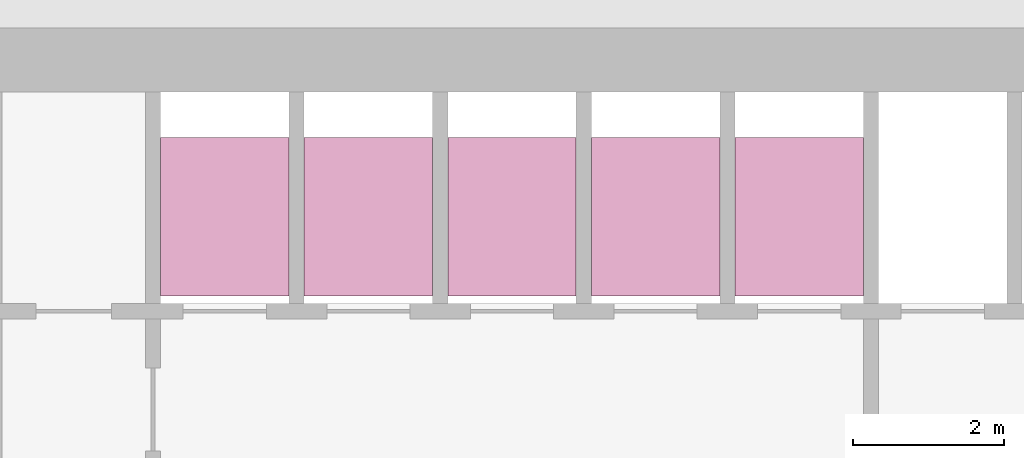
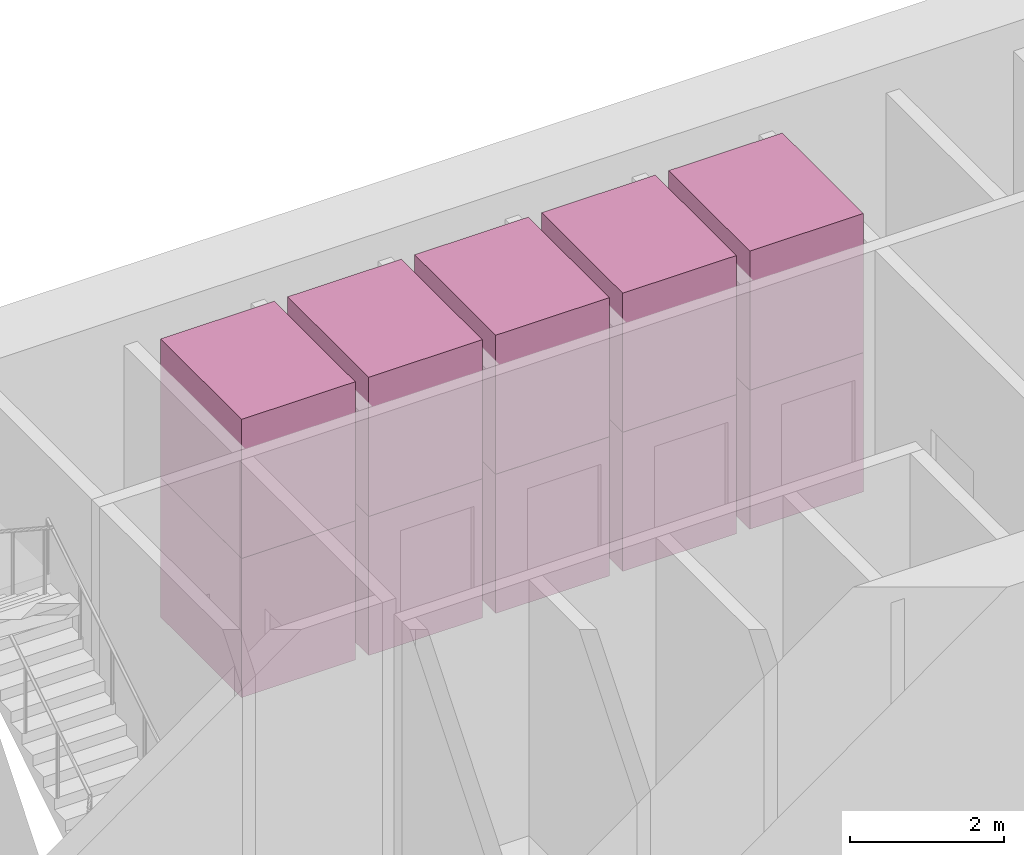
# One storey, part 9 of 9: 10 transport elements.
"""IFC4 building model written with IfcOpenShell, lengths in metres."""

from ifc_helpers import new_model, si_unit, direction, frame, origin, origin_2d, place, context, subcontext, project, spatial, rectangle, extrude, material, type_object, element, save


model = new_model("IFC4")

# Units and contexts
model_context = context("Model", 3, precision=1e-05, world=origin(), true_north=direction((0.0, 1.0)))
body_context = subcontext(model_context, "Body", "Model", "MODEL_VIEW")
ifc_project = project(units=[si_unit("LENGTHUNIT", "METRE"), si_unit("AREAUNIT", "SQUARE_METRE"), si_unit("VOLUMEUNIT", "CUBIC_METRE"), si_unit("PLANEANGLEUNIT", "RADIAN"), si_unit("MASSUNIT", "GRAM", prefix="KILO")], contexts=[model_context])

# Site, building, storey
site_placement = place(None, origin())
site = spatial("IfcSite", under=ifc_project, at=site_placement, CompositionType="ELEMENT")
building_placement = place(site_placement, origin())
building = spatial("IfcBuilding", under=site, at=building_placement, Name="Altiplano Prism Tower", CompositionType="ELEMENT")
storey_placement = place(building_placement, frame((0.0, 0.0, 18.0)))
storey = spatial("IfcBuildingStorey", under=building, at=storey_placement, Name="L03", CompositionType="ELEMENT", Elevation=18.0)

# Transport elements
ifc_material = material(Name="Stainless steel lift car", Category="steel")
transport_element_type = type_object("IfcTransportElementType", Name="Passenger lift car 1600 x 2100", PredefinedType="ELEVATOR", material=ifc_material)
for number, where, z_axis, x_axis, name in (
    (1, (79.050048828125, 101.75, 0.0498046875), (0.0, 0.0, 1.0), (1.0, 0.0, 0.0), "Low Zone Passenger Lift 1"),
    (2, (79.050048828125, 101.75, 2.25), (0.0, 0.0, 1.0), (1.0, 0.0, 0.0), "Low Zone Passenger Lift 1"),
    (3, (80.949951171875, 101.75, 0.0498046875), (0.0, 0.0, 1.0), (1.0, 0.0, 0.0), "Low Zone Passenger Lift 2"),
    (4, (80.949951171875, 101.75, 2.25), (0.0, 0.0, 1.0), (1.0, 0.0, 0.0), "Low Zone Passenger Lift 2"),
    (5, (82.85009765625, 101.75, 0.0498046875), (0.0, 0.0, 1.0), (1.0, 0.0, 0.0), "Low Zone Passenger Lift 3"),
    (6, (82.85009765625, 101.75, 2.25), (0.0, 0.0, 1.0), (1.0, 0.0, 0.0), "Low Zone Passenger Lift 3"),
    (7, (84.75, 101.75, 0.0498046875), (0.0, 0.0, 1.0), (1.0, 0.0, 0.0), "Low Zone Passenger Lift 4"),
    (8, (84.75, 101.75, 2.25), (0.0, 0.0, 1.0), (1.0, 0.0, 0.0), "Low Zone Passenger Lift 4"),
    (9, (86.64990234375, 101.75, 0.0498046875), (0.0, 0.0, 1.0), (1.0, 0.0, 0.0), "Low Zone Passenger Lift 5"),
    (10, (86.64990234375, 101.75, 2.25), (0.0, 0.0, 1.0), (1.0, 0.0, 0.0), "Low Zone Passenger Lift 5"),
):
    element("IfcTransportElement", number, at=place(storey_placement, frame(where, z_axis=z_axis, x_axis=x_axis)), inside=storey, type_object=transport_element_type, Name=name, PredefinedType="ELEVATOR", context=body_context, shape_type="SweptSolid", body=[
        extrude(rectangle(XDim=1.699951171875, YDim=2.10009765625, at=origin_2d()), origin(), (0.0, 0.0, 1.0), 2.199951171875),
    ])

save(model, "model.ifc")
